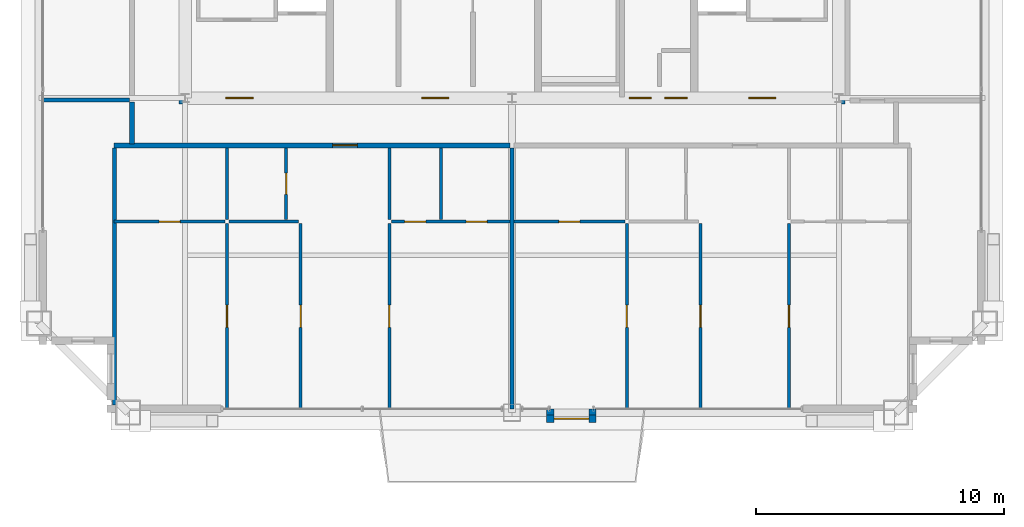
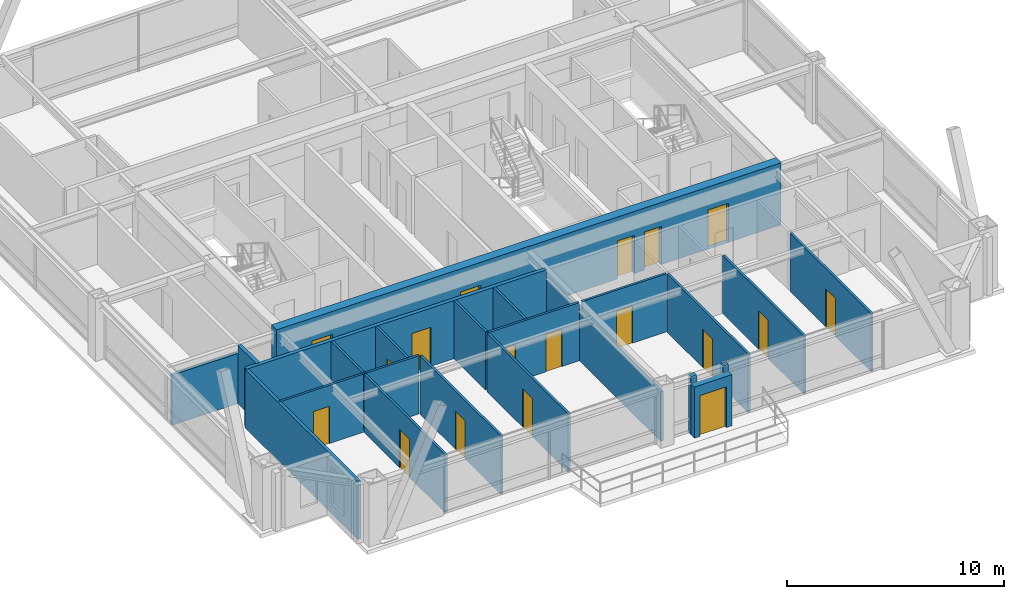
# One storey, part 30 of 34: 23 walls, 18 doors, 18 openings.
"""IFC4 building model written with IfcOpenShell, lengths in metres."""

from ifc_helpers import new_model, si_unit, direction, frame, frame_2d, origin, place, context, subcontext, project, spatial, rectangle, extrude, source, transform, mapped, material, layer, layer_set, type_object, element, fill, save


model = new_model("IFC4")

# Units and contexts
model_context = context("Model", 3, precision=1e-05, world=origin(), true_north=direction((0.0, 1.0)))
body_context = subcontext(model_context, "Body", "Model", "MODEL_VIEW")
ifc_project = project(units=[si_unit("LENGTHUNIT", "METRE"), si_unit("AREAUNIT", "SQUARE_METRE"), si_unit("VOLUMEUNIT", "CUBIC_METRE"), si_unit("PLANEANGLEUNIT", "RADIAN"), si_unit("MASSUNIT", "GRAM", prefix="KILO"), si_unit("THERMODYNAMICTEMPERATUREUNIT", "KELVIN"), si_unit("POWERUNIT", "WATT")], contexts=[model_context])

# Site, building, storey
site_placement = place(None, origin())
site = spatial("IfcSite", under=ifc_project, at=site_placement, CompositionType="ELEMENT")
building_placement = place(site_placement, origin())
building = spatial("IfcBuilding", under=site, at=building_placement, Name="Yuzanri Waterfront Tower", CompositionType="ELEMENT")
storey_placement = place(building_placement, frame((0.0, 0.0, 328.699951171875)))
storey = spatial("IfcBuildingStorey", under=building, at=storey_placement, Name="L88", CompositionType="ELEMENT", Elevation=328.699951171875)

# Wall, opening, door
ifc_material_1 = material(Name="Moisture-Resistant Gypsum Stud Wall", Category="gypsum")
ifc_layer_1 = layer(ifc_material_1, 0.1201171875)
ifc_layer_set_1 = layer_set([ifc_layer_1], Name="Moisture-Resistant Gypsum Stud Wall")
wall_type_1 = type_object("IfcWallType", Name="Bathroom and Kitchen Wet Partition 120", PredefinedType="PARTITIONING", material=ifc_layer_set_1)
wall_1_placement = place(storey_placement, frame((20.93994140625, 14.409912109375, 0.0), z_axis=(0.0, 0.0, 1.0), x_axis=(1.0, 0.0, 0.0)))
wall_1 = element("IfcWall", 1, at=wall_1_placement, inside=storey, type_object=wall_type_1, Name="L88 Partition UW-L88-HS1-SUB-1-S", PredefinedType="PARTITIONING", context=body_context, shape_type="SweptSolid", body=[
    extrude(rectangle(XDim=4.47412109375, YDim=0.1201171875, at=frame_2d((2.237060546875, 0.0))), origin(), (0.0, 0.0, 1.0), 3.280029296875),
])
opening_1_placement = place(wall_1_placement, frame((1.81201171875, 0.0, 0.0)))
opening_1 = element("IfcOpeningElement", 2, at=opening_1_placement, cuts=wall_1, Name="Opening ID-0850", PredefinedType="OPENING", context=body_context, shape_type="SweptSolid", body=[
    extrude(rectangle(XDim=0.85009765625, YDim=2.10009765625, at=frame_2d((0.425048828125, 1.050048828125))), frame((0.0, 0.074951171875, 0.0), z_axis=(0.0, -1.0, 0.0), x_axis=(1.0, 0.0, 0.0)), (0.0, 0.0, 1.0), 0.14990234375),
])
ifc_material_2 = material(Name="Moisture-Resistant Lacquered Timber", Category="wood")
door_type_1 = type_object("IfcDoorType", Name="En-Suite Bathroom and Kitchen Swing Door 850x2100", OperationType="NOTDEFINED", PredefinedType="DOOR", material=ifc_material_2)
shared_shape_1 = source(origin(), body_context, "Body", "SweptSolid", [
    extrude(rectangle(XDim=0.85009765625, YDim=2.10009765625, at=frame_2d((0.425048828125, 1.050048828125))), frame((0.0, 0.02490234375, 0.0), z_axis=(0.0, -1.0, 0.0), x_axis=(1.0, 0.0, 0.0)), (0.0, 0.0, 1.0), 0.050048828125),
])
door_1_placement = place(opening_1_placement, origin())
door_1 = element("IfcDoor", 3, at=door_1_placement, inside=storey, type_object=door_type_1, Name="L88 Suite Interior Room Door", OperationType="SINGLE_SWING_LEFT", OverallHeight=2.10009765625, OverallWidth=0.85009765625, PredefinedType="DOOR", context=body_context, shape_type="MappedRepresentation", body=[
    mapped(shared_shape_1, transform((0.0, 0.0, 0.0), scale=1.0)),
])
fill(opening_1, door_1)

wall_2_placement = place(storey_placement, frame((27.882080078125, 14.489990234375, 0.0), z_axis=(0.0, 0.0, 1.0), x_axis=(0.0, 1.0, 0.0)))
wall_2 = element("IfcWall", 4, at=wall_2_placement, inside=storey, type_object=wall_type_1, Name="L88 Partition UW-L88-HS1-SUB-2-E", PredefinedType="PARTITIONING", context=body_context, shape_type="SweptSolid", body=[
    extrude(rectangle(XDim=2.89990234375, YDim=0.1201171875, at=frame_2d((1.449951171875, 0.0))), origin(), (0.0, 0.0, 1.0), 3.280029296875),
])
opening_2_placement = place(wall_2_placement, frame((1.02490234375, 0.0, 0.0)))
opening_2 = element("IfcOpeningElement", 5, at=opening_2_placement, cuts=wall_2, Name="Opening ID-0850", PredefinedType="OPENING", context=body_context, shape_type="SweptSolid", body=[
    extrude(rectangle(XDim=0.85009765625, YDim=2.10009765625, at=frame_2d((0.425048828125, 1.050048828125))), frame((0.0, 0.074951171875, 0.0), z_axis=(0.0, -1.0, 0.0), x_axis=(1.0, 0.0, 0.0)), (0.0, 0.0, 1.0), 0.14990234375),
])
door_2_placement = place(opening_2_placement, origin())
door_2 = element("IfcDoor", 6, at=door_2_placement, inside=storey, type_object=door_type_1, Name="L88 Suite Interior Room Door", OperationType="SINGLE_SWING_RIGHT", OverallHeight=2.10009765625, OverallWidth=0.85009765625, PredefinedType="DOOR", context=body_context, shape_type="MappedRepresentation", body=[
    mapped(shared_shape_1, transform((0.0, 0.0, 0.0), scale=1.0)),
])
fill(opening_2, door_2)

wall_3_placement = place(storey_placement, frame((25.493896484375, 6.85009765625, 0.0), z_axis=(0.0, 0.0, 1.0), x_axis=(0.0, 1.0, 0.0)))
wall_3 = element("IfcWall", 7, at=wall_3_placement, inside=storey, type_object=wall_type_1, Name="L88 Partition UW-L88-HS1-SUB-5-E", PredefinedType="PARTITIONING", context=body_context, shape_type="SweptSolid", body=[
    extrude(rectangle(XDim=7.47998046875, YDim=0.1201171875, at=frame_2d((3.739990234375, 0.0))), origin(), (0.0, 0.0, 1.0), 3.280029296875),
])
opening_3_placement = place(wall_3_placement, frame((3.2900390625, 0.0, 0.0)))
opening_3 = element("IfcOpeningElement", 8, at=opening_3_placement, cuts=wall_3, Name="Opening ID-0900", PredefinedType="OPENING", context=body_context, shape_type="SweptSolid", body=[
    extrude(rectangle(XDim=0.89990234375, YDim=2.14990234375, at=frame_2d((0.449951171875, 1.074951171875))), frame((0.0, 0.074951171875, 0.0), z_axis=(0.0, -1.0, 0.0), x_axis=(1.0, 0.0, 0.0)), (0.0, 0.0, 1.0), 0.14990234375),
])
ifc_material_3 = material(Name="Stained Walnut Veneer Timber", Category="wood")
door_type_2 = type_object("IfcDoorType", Name="Bedroom and Study Interior Swing Door 900x2150", OperationType="NOTDEFINED", PredefinedType="DOOR", material=ifc_material_3)
shared_shape_2 = source(origin(), body_context, "Body", "SweptSolid", [
    extrude(rectangle(XDim=0.89990234375, YDim=2.14990234375, at=frame_2d((0.449951171875, 1.074951171875))), frame((0.0, 0.02490234375, 0.0), z_axis=(0.0, -1.0, 0.0), x_axis=(1.0, 0.0, 0.0)), (0.0, 0.0, 1.0), 0.050048828125),
])
door_3_placement = place(opening_3_placement, origin())
door_3 = element("IfcDoor", 9, at=door_3_placement, inside=storey, type_object=door_type_2, Name="L88 Suite Interior Room Door", OperationType="SINGLE_SWING_LEFT", OverallHeight=2.14990234375, OverallWidth=0.89990234375, PredefinedType="DOOR", context=body_context, shape_type="MappedRepresentation", body=[
    mapped(shared_shape_2, transform((0.0, 0.0, 0.0), scale=1.0)),
])
fill(opening_3, door_3)

# Wall, openings, doors
wall_4_placement = place(storey_placement, frame((32.1259765625, 14.409912109375, 0.0), z_axis=(0.0, 0.0, 1.0), x_axis=(1.0, 0.0, 0.0)))
wall_4 = element("IfcWall", 10, at=wall_4_placement, inside=storey, type_object=wall_type_1, Name="L88 Partition UW-L88-HS1-SUB-6-N", PredefinedType="PARTITIONING", context=body_context, shape_type="SweptSolid", body=[
    extrude(rectangle(XDim=4.7939453125, YDim=0.1201171875, at=frame_2d((2.39697265625, 0.0))), origin(), (0.0, 0.0, 1.0), 3.280029296875),
])
opening_4_placement = place(wall_4_placement, frame((3.01904296875, 0.0, 0.0)))
opening_4 = element("IfcOpeningElement", 11, at=opening_4_placement, cuts=wall_4, Name="Opening ID-0850", PredefinedType="OPENING", context=body_context, shape_type="SweptSolid", body=[
    extrude(rectangle(XDim=0.85009765625, YDim=2.10009765625, at=frame_2d((0.425048828125, 1.050048828125))), frame((0.0, 0.074951171875, 0.0), z_axis=(0.0, -1.0, 0.0), x_axis=(1.0, 0.0, 0.0)), (0.0, 0.0, 1.0), 0.14990234375),
])
opening_5_placement = place(wall_4_placement, frame((0.5419921875, 0.0, 0.0)))
opening_5 = element("IfcOpeningElement", 12, at=opening_5_placement, cuts=wall_4, Name="Opening ID-0850", PredefinedType="OPENING", context=body_context, shape_type="SweptSolid", body=[
    extrude(rectangle(XDim=0.85009765625, YDim=2.10009765625, at=frame_2d((0.425048828125, 1.050048828125))), frame((0.0, 0.074951171875, 0.0), z_axis=(0.0, -1.0, 0.0), x_axis=(1.0, 0.0, 0.0)), (0.0, 0.0, 1.0), 0.14990234375),
])
door_4_placement = place(opening_4_placement, origin())
door_4 = element("IfcDoor", 13, at=door_4_placement, inside=storey, type_object=door_type_1, Name="L88 Suite Interior Room Door", OperationType="SINGLE_SWING_LEFT", OverallHeight=2.10009765625, OverallWidth=0.85009765625, PredefinedType="DOOR", context=body_context, shape_type="MappedRepresentation", body=[
    mapped(shared_shape_1, transform((0.0, 0.0, 0.0), scale=1.0)),
])
fill(opening_4, door_4)
door_5_placement = place(opening_5_placement, origin())
door_5 = element("IfcDoor", 14, at=door_5_placement, inside=storey, type_object=door_type_1, Name="L88 Suite Interior Room Door", OperationType="SINGLE_SWING_RIGHT", OverallHeight=2.10009765625, OverallWidth=0.85009765625, PredefinedType="DOOR", context=body_context, shape_type="MappedRepresentation", body=[
    mapped(shared_shape_1, transform((0.0, 0.0, 0.0), scale=1.0)),
])
fill(opening_5, door_5)

# Wall, opening, door
wall_5_placement = place(storey_placement, frame((32.0458984375, 6.85009765625, 0.0), z_axis=(0.0, 0.0, 1.0), x_axis=(0.0, 1.0, 0.0)))
wall_5 = element("IfcWall", 15, at=wall_5_placement, inside=storey, type_object=wall_type_1, Name="L88 Partition UW-L88-HS1-SUB-6-W", PredefinedType="PARTITIONING", context=body_context, shape_type="SweptSolid", body=[
    extrude(rectangle(XDim=7.47998046875, YDim=0.1201171875, at=frame_2d((3.739990234375, 0.0))), origin(), (0.0, 0.0, 1.0), 3.280029296875),
])
opening_6_placement = place(wall_5_placement, frame((3.2900390625, 0.0, 0.0)))
opening_6 = element("IfcOpeningElement", 16, at=opening_6_placement, cuts=wall_5, Name="Opening ID-0900", PredefinedType="OPENING", context=body_context, shape_type="SweptSolid", body=[
    extrude(rectangle(XDim=0.89990234375, YDim=2.14990234375, at=frame_2d((0.449951171875, 1.074951171875))), frame((0.0, 0.074951171875, 0.0), z_axis=(0.0, -1.0, 0.0), x_axis=(1.0, 0.0, 0.0)), (0.0, 0.0, 1.0), 0.14990234375),
])
door_6_placement = place(opening_6_placement, origin())
door_6 = element("IfcDoor", 17, at=door_6_placement, inside=storey, type_object=door_type_2, Name="L88 Suite Interior Room Door", OperationType="SINGLE_SWING_RIGHT", OverallHeight=2.14990234375, OverallWidth=0.89990234375, PredefinedType="DOOR", context=body_context, shape_type="MappedRepresentation", body=[
    mapped(shared_shape_2, transform((0.0, 0.0, 0.0), scale=1.0)),
])
fill(opening_6, door_6)

wall_6_placement = place(storey_placement, frame((28.466064453125, 6.85009765625, 0.0), z_axis=(0.0, 0.0, 1.0), x_axis=(0.0, 1.0, 0.0)))
wall_6 = element("IfcWall", 18, at=wall_6_placement, inside=storey, type_object=wall_type_1, Name="L88 Partition UW-L88-HS1-SUB-7-E", PredefinedType="PARTITIONING", context=body_context, shape_type="SweptSolid", body=[
    extrude(rectangle(XDim=7.47998046875, YDim=0.1201171875, at=frame_2d((3.739990234375, 0.0))), origin(), (0.0, 0.0, 1.0), 3.280029296875),
])
opening_7_placement = place(wall_6_placement, frame((3.2900390625, 0.0, 0.0)))
opening_7 = element("IfcOpeningElement", 19, at=opening_7_placement, cuts=wall_6, Name="Opening ID-0900", PredefinedType="OPENING", context=body_context, shape_type="SweptSolid", body=[
    extrude(rectangle(XDim=0.89990234375, YDim=2.14990234375, at=frame_2d((0.449951171875, 1.074951171875))), frame((0.0, 0.074951171875, 0.0), z_axis=(0.0, -1.0, 0.0), x_axis=(1.0, 0.0, 0.0)), (0.0, 0.0, 1.0), 0.14990234375),
])
door_7_placement = place(opening_7_placement, origin())
door_7 = element("IfcDoor", 20, at=door_7_placement, inside=storey, type_object=door_type_2, Name="L88 Suite Interior Room Door", OperationType="SINGLE_SWING_LEFT", OverallHeight=2.14990234375, OverallWidth=0.89990234375, PredefinedType="DOOR", context=body_context, shape_type="MappedRepresentation", body=[
    mapped(shared_shape_2, transform((0.0, 0.0, 0.0), scale=1.0)),
])
fill(opening_7, door_7)

wall_7_placement = place(storey_placement, frame((37.080078125, 14.409912109375, 0.0), z_axis=(0.0, 0.0, 1.0), x_axis=(1.0, 0.0, 0.0)))
wall_7 = element("IfcWall", 21, at=wall_7_placement, inside=storey, type_object=wall_type_1, Name="L88 Partition UW-L88-HS2-SUB-1-S", PredefinedType="PARTITIONING", context=body_context, shape_type="SweptSolid", body=[
    extrude(rectangle(XDim=4.473876953125, YDim=0.1201171875, at=frame_2d((2.23681640625, 0.0))), origin(), (0.0, 0.0, 1.0), 3.280029296875),
])
opening_8_placement = place(wall_7_placement, frame((1.81201171875, 0.0, 0.0)))
opening_8 = element("IfcOpeningElement", 22, at=opening_8_placement, cuts=wall_7, Name="Opening ID-0850", PredefinedType="OPENING", context=body_context, shape_type="SweptSolid", body=[
    extrude(rectangle(XDim=0.85009765625, YDim=2.10009765625, at=frame_2d((0.425048828125, 1.050048828125))), frame((0.0, 0.074951171875, 0.0), z_axis=(0.0, -1.0, 0.0), x_axis=(1.0, 0.0, 0.0)), (0.0, 0.0, 1.0), 0.14990234375),
])
door_8_placement = place(opening_8_placement, origin())
door_8 = element("IfcDoor", 23, at=door_8_placement, inside=storey, type_object=door_type_1, Name="L88 Suite Interior Room Door", OperationType="SINGLE_SWING_LEFT", OverallHeight=2.10009765625, OverallWidth=0.85009765625, PredefinedType="DOOR", context=body_context, shape_type="MappedRepresentation", body=[
    mapped(shared_shape_1, transform((0.0, 0.0, 0.0), scale=1.0)),
])
fill(opening_8, door_8)

wall_8_placement = place(storey_placement, frame((41.634033203125, 6.85009765625, 0.0), z_axis=(0.0, 0.0, 1.0), x_axis=(0.0, 1.0, 0.0)))
wall_8 = element("IfcWall", 24, at=wall_8_placement, inside=storey, type_object=wall_type_1, Name="L88 Partition UW-L88-HS2-SUB-5-E", PredefinedType="PARTITIONING", context=body_context, shape_type="SweptSolid", body=[
    extrude(rectangle(XDim=7.47998046875, YDim=0.1201171875, at=frame_2d((3.739990234375, 0.0))), origin(), (0.0, 0.0, 1.0), 3.280029296875),
])
opening_9_placement = place(wall_8_placement, frame((3.2900390625, 0.0, 0.0)))
opening_9 = element("IfcOpeningElement", 25, at=opening_9_placement, cuts=wall_8, Name="Opening ID-0900", PredefinedType="OPENING", context=body_context, shape_type="SweptSolid", body=[
    extrude(rectangle(XDim=0.89990234375, YDim=2.14990234375, at=frame_2d((0.449951171875, 1.074951171875))), frame((0.0, 0.074951171875, 0.0), z_axis=(0.0, -1.0, 0.0), x_axis=(1.0, 0.0, 0.0)), (0.0, 0.0, 1.0), 0.14990234375),
])
door_9_placement = place(opening_9_placement, origin())
door_9 = element("IfcDoor", 26, at=door_9_placement, inside=storey, type_object=door_type_2, Name="L88 Suite Interior Room Door", OperationType="SINGLE_SWING_LEFT", OverallHeight=2.14990234375, OverallWidth=0.89990234375, PredefinedType="DOOR", context=body_context, shape_type="MappedRepresentation", body=[
    mapped(shared_shape_2, transform((0.0, 0.0, 0.0), scale=1.0)),
])
fill(opening_9, door_9)

wall_9_placement = place(storey_placement, frame((48.18603515625, 6.85009765625, 0.0), z_axis=(0.0, 0.0, 1.0), x_axis=(0.0, 1.0, 0.0)))
wall_9 = element("IfcWall", 27, at=wall_9_placement, inside=storey, type_object=wall_type_1, Name="L88 Partition UW-L88-HS2-SUB-6-W", PredefinedType="PARTITIONING", context=body_context, shape_type="SweptSolid", body=[
    extrude(rectangle(XDim=7.47998046875, YDim=0.1201171875, at=frame_2d((3.739990234375, 0.0))), origin(), (0.0, 0.0, 1.0), 3.280029296875),
])
opening_10_placement = place(wall_9_placement, frame((3.2900390625, 0.0, 0.0)))
opening_10 = element("IfcOpeningElement", 28, at=opening_10_placement, cuts=wall_9, Name="Opening ID-0900", PredefinedType="OPENING", context=body_context, shape_type="SweptSolid", body=[
    extrude(rectangle(XDim=0.89990234375, YDim=2.14990234375, at=frame_2d((0.449951171875, 1.074951171875))), frame((0.0, 0.074951171875, 0.0), z_axis=(0.0, -1.0, 0.0), x_axis=(1.0, 0.0, 0.0)), (0.0, 0.0, 1.0), 0.14990234375),
])
door_10_placement = place(opening_10_placement, origin())
door_10 = element("IfcDoor", 29, at=door_10_placement, inside=storey, type_object=door_type_2, Name="L88 Suite Interior Room Door", OperationType="SINGLE_SWING_RIGHT", OverallHeight=2.14990234375, OverallWidth=0.89990234375, PredefinedType="DOOR", context=body_context, shape_type="MappedRepresentation", body=[
    mapped(shared_shape_2, transform((0.0, 0.0, 0.0), scale=1.0)),
])
fill(opening_10, door_10)

wall_10_placement = place(storey_placement, frame((44.60595703125, 6.85009765625, 0.0), z_axis=(0.0, 0.0, 1.0), x_axis=(0.0, 1.0, 0.0)))
wall_10 = element("IfcWall", 30, at=wall_10_placement, inside=storey, type_object=wall_type_1, Name="L88 Partition UW-L88-HS2-SUB-7-E", PredefinedType="PARTITIONING", context=body_context, shape_type="SweptSolid", body=[
    extrude(rectangle(XDim=7.47998046875, YDim=0.1201171875, at=frame_2d((3.739990234375, 0.0))), origin(), (0.0, 0.0, 1.0), 3.280029296875),
])
opening_11_placement = place(wall_10_placement, frame((3.2900390625, 0.0, 0.0)))
opening_11 = element("IfcOpeningElement", 31, at=opening_11_placement, cuts=wall_10, Name="Opening ID-0900", PredefinedType="OPENING", context=body_context, shape_type="SweptSolid", body=[
    extrude(rectangle(XDim=0.89990234375, YDim=2.14990234375, at=frame_2d((0.449951171875, 1.074951171875))), frame((0.0, 0.074951171875, 0.0), z_axis=(0.0, -1.0, 0.0), x_axis=(1.0, 0.0, 0.0)), (0.0, 0.0, 1.0), 0.14990234375),
])
door_11_placement = place(opening_11_placement, origin())
door_11 = element("IfcDoor", 32, at=door_11_placement, inside=storey, type_object=door_type_2, Name="L88 Suite Interior Room Door", OperationType="SINGLE_SWING_LEFT", OverallHeight=2.14990234375, OverallWidth=0.89990234375, PredefinedType="DOOR", context=body_context, shape_type="MappedRepresentation", body=[
    mapped(shared_shape_2, transform((0.0, 0.0, 0.0), scale=1.0)),
])
fill(opening_11, door_11)

ifc_material_4 = material(Name="Honed Chongqing Dark Basalt Stone", Category="masonry")
ifc_layer_2 = layer(ifc_material_4, 0.300048828125)
ifc_layer_set_2 = layer_set([ifc_layer_2], Name="Honed Chongqing Dark Basalt Stone")
wall_type_2 = type_object("IfcWallType", Name="Bronze Rainscreen Insulated Spandrel Portal Wall 300", PredefinedType="SOLIDWALL", material=ifc_layer_set_2)
wall_11_placement = place(storey_placement, frame((38.39990234375, 6.449951171875, 0.0), z_axis=(0.0, 0.0, 1.0), x_axis=(1.0, 0.0, 0.0)))
wall_11 = element("IfcWall", 33, at=wall_11_placement, inside=storey, type_object=wall_type_2, Name="L88 S Terrace Door Portal Wall", PredefinedType="SOLIDWALL", context=body_context, shape_type="SweptSolid", body=[
    extrude(rectangle(XDim=2.0, YDim=0.300048828125, at=frame_2d((1.0, 0.0))), origin(), (0.0, 0.0, 1.0), 2.885009765625),
])
opening_12_placement = place(wall_11_placement, frame((0.300048828125, 0.0, 0.0)))
opening_12 = element("IfcOpeningElement", 34, at=opening_12_placement, cuts=wall_11, Name="Opening TD-1400", PredefinedType="OPENING", context=body_context, shape_type="SweptSolid", body=[
    extrude(rectangle(XDim=1.39990234375, YDim=2.300048828125, at=frame_2d((0.699951171875, 1.14990234375))), frame((0.0, 0.1650390625, 0.0), z_axis=(0.0, -1.0, 0.0), x_axis=(1.0, 0.0, 0.0)), (0.0, 0.0, 1.0), 0.329833984375),
])
ifc_material_5 = material(Name="Anodized Architectural Bronze", Category="metal")
door_type_3 = type_object("IfcDoorType", Name="Anodized Bronze Balcony and Terrace Glazed Double Door 1400x2300", OperationType="NOTDEFINED", PredefinedType="DOOR", material=ifc_material_5)
shared_shape_3 = source(origin(), body_context, "Body", "SweptSolid", [
    extrude(rectangle(XDim=1.39990234375, YDim=2.300048828125, at=frame_2d((0.699951171875, 1.14990234375))), frame((0.0, 0.02490234375, 0.0), z_axis=(0.0, -1.0, 0.0), x_axis=(1.0, 0.0, 0.0)), (0.0, 0.0, 1.0), 0.050048828125),
])
door_12_placement = place(opening_12_placement, origin())
door_12 = element("IfcDoor", 35, at=door_12_placement, inside=storey, type_object=door_type_3, Name="L88 S Terrace Glazed Double Door", OperationType="DOUBLE_DOOR_SINGLE_SWING", OverallHeight=2.300048828125, OverallWidth=1.39990234375, PredefinedType="DOOR", context=body_context, shape_type="MappedRepresentation", body=[
    mapped(shared_shape_3, transform((0.0, 0.0, 0.0), scale=1.0)),
])
fill(opening_12, door_12)

# Wall, openings, doors
ifc_material_6 = material(Name="Concrete C45", Category="concrete")
ifc_layer_3 = layer(ifc_material_6, 0.47998046875)
ifc_layer_set_3 = layer_set([ifc_layer_3], Name="Concrete C45")
wall_type_3 = type_object("IfcWallType", Name="Concrete C45 High-Rise Core Shear Wall 480", PredefinedType="SHEAR", material=ifc_layer_set_3)
wall_12_placement = place(storey_placement, frame((23.56005859375, 19.39990234375, 0.0), z_axis=(0.0, 0.0, 1.0), x_axis=(1.0, 0.0, 0.0)))
wall_12 = element("IfcWall", 36, at=wall_12_placement, inside=storey, type_object=wall_type_3, Name="L88 Core South Shear Wall", PredefinedType="SHEAR", context=body_context, shape_type="SweptSolid", body=[
    extrude(rectangle(XDim=26.8798828125, YDim=0.47998046875, at=frame_2d((13.43994140625, 0.0))), origin(), (0.0, 0.0, 1.0), 3.5),
])
opening_13_placement = place(wall_12_placement, frame((1.889892578125, 0.0, 0.0)))
opening_13 = element("IfcOpeningElement", 37, at=opening_13_placement, cuts=wall_12, Name="Opening FD-1100", PredefinedType="OPENING", context=body_context, shape_type="SweptSolid", body=[
    extrude(rectangle(XDim=1.10009765625, YDim=2.199951171875, at=frame_2d((0.550048828125, 1.10009765625))), frame((0.0, 0.2548828125, 0.0), z_axis=(0.0, -1.0, 0.0), x_axis=(1.0, 0.0, 0.0)), (0.0, 0.0, 1.0), 0.509765625),
])
opening_14_placement = place(wall_12_placement, frame((9.7900390625, 0.0, 0.0)))
opening_14 = element("IfcOpeningElement", 38, at=opening_14_placement, cuts=wall_12, Name="Opening FD-1100", PredefinedType="OPENING", context=body_context, shape_type="SweptSolid", body=[
    extrude(rectangle(XDim=1.10009765625, YDim=2.199951171875, at=frame_2d((0.550048828125, 1.10009765625))), frame((0.0, 0.2548828125, 0.0), z_axis=(0.0, -1.0, 0.0), x_axis=(1.0, 0.0, 0.0)), (0.0, 0.0, 1.0), 0.509765625),
])
opening_15_placement = place(wall_12_placement, frame((22.989990234375, 0.0, 0.0)))
opening_15 = element("IfcOpeningElement", 39, at=opening_15_placement, cuts=wall_12, Name="Opening FD-1100", PredefinedType="OPENING", context=body_context, shape_type="SweptSolid", body=[
    extrude(rectangle(XDim=1.10009765625, YDim=2.199951171875, at=frame_2d((0.550048828125, 1.10009765625))), frame((0.0, 0.2548828125, 0.0), z_axis=(0.0, -1.0, 0.0), x_axis=(1.0, 0.0, 0.0)), (0.0, 0.0, 1.0), 0.509765625),
])
opening_16_placement = place(wall_12_placement, frame((19.610107421875, 0.0, 0.0)))
opening_16 = element("IfcOpeningElement", 40, at=opening_16_placement, cuts=wall_12, Name="Opening FD-0900", PredefinedType="OPENING", context=body_context, shape_type="SweptSolid", body=[
    extrude(rectangle(XDim=0.89990234375, YDim=2.14990234375, at=frame_2d((0.449951171875, 1.074951171875))), frame((0.0, 0.2548828125, 0.0), z_axis=(0.0, -1.0, 0.0), x_axis=(1.0, 0.0, 0.0)), (0.0, 0.0, 1.0), 0.509765625),
])
opening_17_placement = place(wall_12_placement, frame((18.169921875, 0.0, 0.0)))
opening_17 = element("IfcOpeningElement", 41, at=opening_17_placement, cuts=wall_12, Name="Opening FD-0900", PredefinedType="OPENING", context=body_context, shape_type="SweptSolid", body=[
    extrude(rectangle(XDim=0.89990234375, YDim=2.14990234375, at=frame_2d((0.449951171875, 1.074951171875))), frame((0.0, 0.2548828125, 0.0), z_axis=(0.0, -1.0, 0.0), x_axis=(1.0, 0.0, 0.0)), (0.0, 0.0, 1.0), 0.509765625),
])
ifc_material_7 = material(Name="Painted Galvanized Fire Steel", Category="steel")
door_type_4 = type_object("IfcDoorType", Name="Smoke-Proof Stair and Lobby Fire Door 1100x2200", OperationType="NOTDEFINED", PredefinedType="DOOR", material=ifc_material_7)
shared_shape_4 = source(origin(), body_context, "Body", "SweptSolid", [
    extrude(rectangle(XDim=1.10009765625, YDim=2.199951171875, at=frame_2d((0.550048828125, 1.10009765625))), frame((0.0, 0.02490234375, 0.0), z_axis=(0.0, -1.0, 0.0), x_axis=(1.0, 0.0, 0.0)), (0.0, 0.0, 1.0), 0.050048828125),
])
door_13_placement = place(opening_13_placement, origin())
door_13 = element("IfcDoor", 42, at=door_13_placement, inside=storey, type_object=door_type_4, Name="L88 West Firefighting Lobby Door", OperationType="SINGLE_SWING_LEFT", OverallHeight=2.199951171875, OverallWidth=1.10009765625, PredefinedType="DOOR", context=body_context, shape_type="MappedRepresentation", body=[
    mapped(shared_shape_4, transform((0.0, 0.0, 0.0), scale=1.0)),
])
fill(opening_13, door_13)
door_14_placement = place(opening_14_placement, origin())
door_14 = element("IfcDoor", 43, at=door_14_placement, inside=storey, type_object=door_type_4, Name="L88 Central Lift Lobby South Door", OperationType="SINGLE_SWING_RIGHT", OverallHeight=2.199951171875, OverallWidth=1.10009765625, PredefinedType="DOOR", context=body_context, shape_type="MappedRepresentation", body=[
    mapped(shared_shape_4, transform((0.0, 0.0, 0.0), scale=1.0)),
])
fill(opening_14, door_14)
door_15_placement = place(opening_15_placement, origin())
door_15 = element("IfcDoor", 44, at=door_15_placement, inside=storey, type_object=door_type_4, Name="L88 East Firefighting Lobby Door", OperationType="SINGLE_SWING_LEFT", OverallHeight=2.199951171875, OverallWidth=1.10009765625, PredefinedType="DOOR", context=body_context, shape_type="MappedRepresentation", body=[
    mapped(shared_shape_4, transform((0.0, 0.0, 0.0), scale=1.0)),
])
fill(opening_15, door_15)
ifc_material_8 = material(Name="Painted Galvanized Fire Steel", Category="steel")
door_type_5 = type_object("IfcDoorType", Name="Riser and Service Room Fire Door 900x2150", OperationType="NOTDEFINED", PredefinedType="DOOR", material=ifc_material_8)
shared_shape_5 = source(origin(), body_context, "Body", "SweptSolid", [
    extrude(rectangle(XDim=0.89990234375, YDim=2.14990234375, at=frame_2d((0.449951171875, 1.074951171875))), frame((0.0, 0.02490234375, 0.0), z_axis=(0.0, -1.0, 0.0), x_axis=(1.0, 0.0, 0.0)), (0.0, 0.0, 1.0), 0.050048828125),
])
door_16_placement = place(opening_16_placement, origin())
door_16 = element("IfcDoor", 45, at=door_16_placement, inside=storey, type_object=door_type_5, Name="L88 East Wet Riser Door", OperationType="SINGLE_SWING_RIGHT", OverallHeight=2.14990234375, OverallWidth=0.89990234375, PredefinedType="DOOR", context=body_context, shape_type="MappedRepresentation", body=[
    mapped(shared_shape_5, transform((0.0, 0.0, 0.0), scale=1.0)),
])
fill(opening_16, door_16)
door_17_placement = place(opening_17_placement, origin())
door_17 = element("IfcDoor", 46, at=door_17_placement, inside=storey, type_object=door_type_5, Name="L88 Cleaners Store Room", OperationType="SINGLE_SWING_LEFT", OverallHeight=2.14990234375, OverallWidth=0.89990234375, PredefinedType="DOOR", context=body_context, shape_type="MappedRepresentation", body=[
    mapped(shared_shape_5, transform((0.0, 0.0, 0.0), scale=1.0)),
])
fill(opening_17, door_17)

# Wall, opening, door
ifc_material_9 = material(Name="Autoclaved Aerated Concrete Blockwork", Category="masonry")
ifc_layer_4 = layer(ifc_material_9, 0.199951171875)
ifc_layer_set_4 = layer_set([ifc_layer_4], Name="Autoclaved Aerated Concrete Blockwork")
wall_type_4 = type_object("IfcWallType", Name="Corridor and Unit Party Fire Wall 200", PredefinedType="PARTITIONING", material=ifc_layer_set_4)
wall_13_placement = place(storey_placement, frame((20.93994140625, 17.489990234375, 0.0), z_axis=(0.0, 0.0, 1.0), x_axis=(1.0, 0.0, 0.0)))
wall_13 = element("IfcWall", 47, at=wall_13_placement, inside=storey, type_object=wall_type_4, Name="L88 Partition UW-L88-HS1-CN", PredefinedType="PARTITIONING", context=body_context, shape_type="SweptSolid", body=[
    extrude(rectangle(XDim=15.97998046875, YDim=0.199951171875, at=frame_2d((7.989990234375, 0.0))), origin(), (0.0, 0.0, 1.0), 3.280029296875),
])
opening_18_placement = place(wall_13_placement, frame((8.81591796875, 0.0, 0.0)))
opening_18 = element("IfcOpeningElement", 48, at=opening_18_placement, cuts=wall_13, Name="Opening FD-1000", PredefinedType="OPENING", context=body_context, shape_type="SweptSolid", body=[
    extrude(rectangle(XDim=1.0, YDim=2.199951171875, at=frame_2d((0.5, 1.10009765625))), frame((0.0, 0.11474609375, 0.0), z_axis=(0.0, -1.0, 0.0), x_axis=(1.0, 0.0, 0.0)), (0.0, 0.0, 1.0), 0.229736328125),
])
ifc_material_10 = material(Name="Engineered Oak Fire-Rated Timber", Category="wood")
door_type_6 = type_object("IfcDoorType", Name="Guestroom and Apartment Entrance Fire Door 1000x2200", OperationType="NOTDEFINED", PredefinedType="DOOR", material=ifc_material_10)
shared_shape_6 = source(origin(), body_context, "Body", "SweptSolid", [
    extrude(rectangle(XDim=1.0, YDim=2.199951171875, at=frame_2d((0.5, 1.10009765625))), frame((0.0, 0.02490234375, 0.0), z_axis=(0.0, -1.0, 0.0), x_axis=(1.0, 0.0, 0.0)), (0.0, 0.0, 1.0), 0.050048828125),
])
door_18_placement = place(opening_18_placement, origin())
door_18 = element("IfcDoor", 49, at=door_18_placement, inside=storey, type_object=door_type_6, Name="L88 Apartment Living and Dining Salon Entrance Door", OperationType="SINGLE_SWING_RIGHT", OverallHeight=2.199951171875, OverallWidth=1.0, PredefinedType="DOOR", context=body_context, shape_type="MappedRepresentation", body=[
    mapped(shared_shape_6, transform((0.0, 0.0, 0.0), scale=1.0)),
])
fill(opening_18, door_18)

# Walls
shared_shape_7 = source(origin(), body_context, "Body", "SweptSolid", [
    extrude(rectangle(XDim=0.25, YDim=0.300048828125, at=frame_2d((0.125, 0.0))), origin(), (0.0, 0.0, 1.0), 3.280029296875),
])
for number, where, z_axis, x_axis, name in (
    (50, (38.550048828125, 6.85009765625, 0.0), (0.0, 0.0, 1.0), (0.0, -1.0, 0.0), "L88 S Terrace Portal Left Return"),
    (51, (40.25, 6.60009765625, 0.0), (0.0, 0.0, 1.0), (0.0, 1.0, 0.0), "L88 S Terrace Portal Right Return"),
):
    element("IfcWall", number, at=place(storey_placement, frame(where, z_axis=z_axis, x_axis=x_axis)), inside=storey, type_object=wall_type_2, Name=name, PredefinedType="SOLIDWALL", context=body_context, shape_type="MappedRepresentation", body=[
        mapped(shared_shape_7, transform((0.0, 0.0, 0.0), scale=1.0)),
    ])
ifc_material_11 = material(Name="Gypsum Fireboard Acoustic Stud Wall", Category="gypsum")
ifc_layer_5 = layer(ifc_material_11, 0.159912109375)
ifc_layer_set_5 = layer_set([ifc_layer_5], Name="Gypsum Fireboard Acoustic Stud Wall")
wall_type_5 = type_object("IfcWallType", Name="Acoustic Suite Demising Partition 160", PredefinedType="PARTITIONING", material=ifc_layer_set_5)
shared_shape_8 = source(origin(), body_context, "Body", "SweptSolid", [
    extrude(rectangle(XDim=3.5, YDim=0.159912109375, at=frame_2d((1.75, 0.0))), origin(), (0.0, 0.0, 1.0), 2.824951171875),
])
wall_14_placement = place(storey_placement, frame((18.050048828125, 19.330078125, 0.0), z_axis=(0.0, 0.0, 1.0), x_axis=(1.0, 0.0, 0.0)))
element("IfcWall", 52, at=wall_14_placement, inside=storey, type_object=wall_type_5, Name="L88-041 Wing South End Wall", PredefinedType="PARTITIONING", context=body_context, shape_type="MappedRepresentation", body=[
    mapped(shared_shape_8, transform((0.0, 0.0, 0.0), scale=1.0)),
])
shared_shape_9 = source(origin(), body_context, "Body", "SweptSolid", [
    extrude(rectangle(XDim=1.699951171875, YDim=0.199951171875, at=frame_2d((0.85009765625, 0.0))), origin(), (0.0, 0.0, 1.0), 3.280029296875),
])
wall_15_placement = place(storey_placement, frame((21.64990234375, 17.550048828125, 0.0), z_axis=(0.0, 0.0, 1.0), x_axis=(0.0, 1.0, 0.0)))
element("IfcWall", 53, at=wall_15_placement, inside=storey, type_object=wall_type_4, Name="L88 South Foyer West End Wall", PredefinedType="PARTITIONING", context=body_context, shape_type="MappedRepresentation", body=[
    mapped(shared_shape_9, transform((0.0, 0.0, 0.0), scale=1.0)),
])
shared_shape_10 = source(origin(), body_context, "Body", "SweptSolid", [
    extrude(rectangle(XDim=2.89990234375, YDim=0.1201171875, at=frame_2d((1.449951171875, 0.0))), origin(), (0.0, 0.0, 1.0), 3.280029296875),
])
for number, where, z_axis, x_axis, name in (
    (54, (25.493896484375, 14.489990234375, 0.0), (0.0, 0.0, 1.0), (0.0, 1.0, 0.0), "L88 Partition UW-L88-HS1-SUB-1-E"),
    (55, (34.139892578125, 14.489990234375, 0.0), (0.0, 0.0, 1.0), (0.0, 1.0, 0.0), "L88 Partition UW-L88-HS1-SUB-3-W"),
    (56, (32.0458984375, 14.489990234375, 0.0), (0.0, 0.0, 1.0), (0.0, 1.0, 0.0), "L88 Partition UW-L88-HS1-SUB-4-W"),
):
    element("IfcWall", number, at=place(storey_placement, frame(where, z_axis=z_axis, x_axis=x_axis)), inside=storey, type_object=wall_type_1, Name=name, PredefinedType="PARTITIONING", context=body_context, shape_type="MappedRepresentation", body=[
        mapped(shared_shape_10, transform((0.0, 0.0, 0.0), scale=1.0)),
    ])
shared_shape_11 = source(origin(), body_context, "Body", "SweptSolid", [
    extrude(rectangle(XDim=10.389892578125, YDim=0.159912109375, at=frame_2d((5.19482421875, 0.0))), origin(), (0.0, 0.0, 1.0), 3.280029296875),
])
wall_16_placement = place(storey_placement, frame((20.949951171875, 7.0, 0.0), z_axis=(0.0, 0.0, 1.0), x_axis=(0.0, 1.0, 0.0)))
element("IfcWall", 57, at=wall_16_placement, inside=storey, type_object=wall_type_5, Name="L88 South Band West End Wall", PredefinedType="PARTITIONING", context=body_context, shape_type="MappedRepresentation", body=[
    mapped(shared_shape_11, transform((0.0, 0.0, 0.0), scale=1.0)),
])
shared_shape_12 = source(origin(), body_context, "Body", "SweptSolid", [
    extrude(rectangle(XDim=10.539794921875, YDim=0.159912109375, at=frame_2d((5.27001953125, 0.0))), origin(), (0.0, 0.0, 1.0), 2.787109375),
])
wall_17_placement = place(storey_placement, frame((37.0, 6.85009765625, 0.0), z_axis=(0.0, 0.0, 1.0), x_axis=(0.0, 1.0, 0.0)))
element("IfcWall", 58, at=wall_17_placement, inside=storey, type_object=wall_type_5, Name="L88-HS1 Party Wall", PredefinedType="PARTITIONING", context=body_context, shape_type="MappedRepresentation", body=[
    mapped(shared_shape_12, transform((0.0, 0.0, 0.0), scale=1.0)),
])
shared_shape_13 = source(origin(), body_context, "Body", "SweptSolid", [
    extrude(rectangle(XDim=2.81201171875, YDim=0.1201171875, at=frame_2d((1.406005859375, 0.0))), origin(), (0.0, 0.0, 1.0), 3.280029296875),
])
wall_18_placement = place(storey_placement, frame((25.573974609375, 14.409912109375, 0.0), z_axis=(0.0, 0.0, 1.0), x_axis=(1.0, 0.0, 0.0)))
element("IfcWall", 59, at=wall_18_placement, inside=storey, type_object=wall_type_1, Name="L88 Partition UW-L88-HS1-SUB-7-N", PredefinedType="PARTITIONING", context=body_context, shape_type="MappedRepresentation", body=[
    mapped(shared_shape_13, transform((0.0, 0.0, 0.0), scale=1.0)),
])

save(model, "model.ifc")
